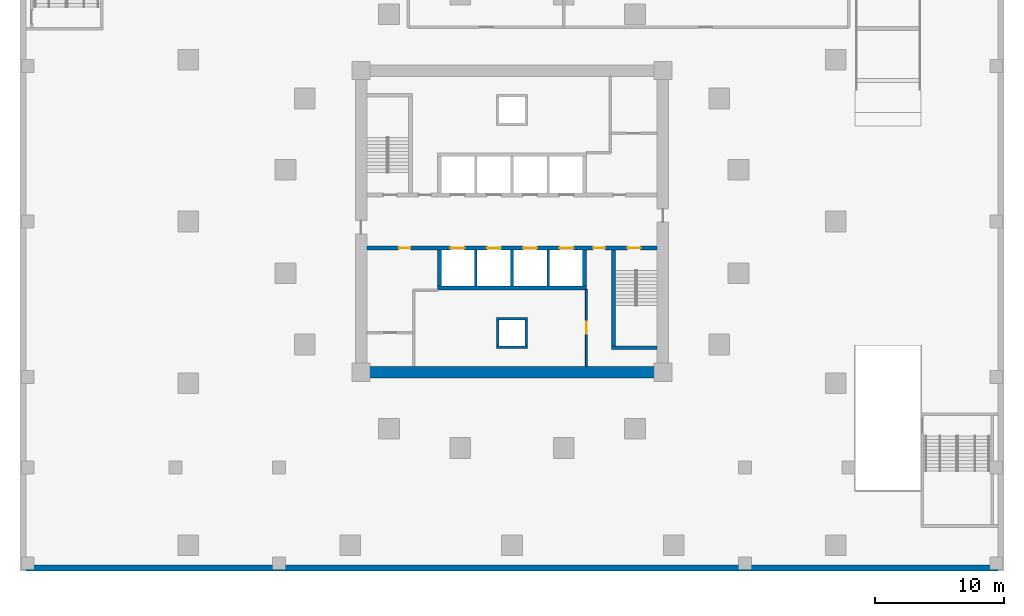
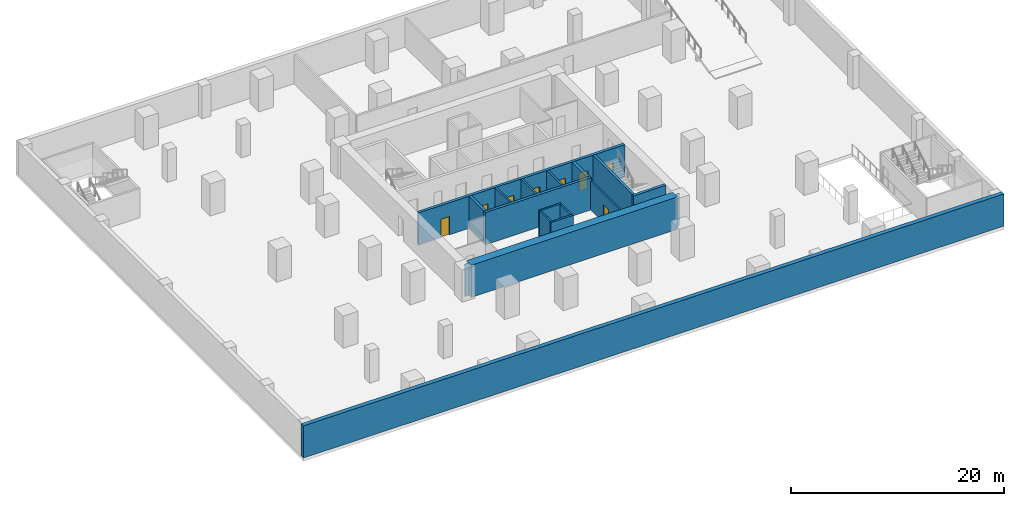
# One storey, part 3 of 9: 16 walls, 8 doors, 8 openings.
"""IFC4 building model written with IfcOpenShell, lengths in metres."""

from ifc_helpers import new_model, si_unit, direction, frame, frame_2d, origin, place, context, subcontext, project, spatial, polyline, rectangle, outline, extrude, material, layer, layer_set, type_object, element, fill, save


model = new_model("IFC4")

# Units and contexts
model_context = context("Model", 3, precision=1e-05, world=origin(), true_north=direction((0.0, 1.0)))
body_context = subcontext(model_context, "Body", "Model", "MODEL_VIEW")
ifc_project = project(units=[si_unit("LENGTHUNIT", "METRE"), si_unit("AREAUNIT", "SQUARE_METRE"), si_unit("VOLUMEUNIT", "CUBIC_METRE"), si_unit("PLANEANGLEUNIT", "RADIAN"), si_unit("MASSUNIT", "GRAM", prefix="KILO")], contexts=[model_context])

# Site, building, storey
site_placement = place(None, origin())
site = spatial("IfcSite", under=ifc_project, at=site_placement, CompositionType="ELEMENT")
building_placement = place(site_placement, origin())
building = spatial("IfcBuilding", under=site, at=building_placement, Name="Torsade Residences", CompositionType="ELEMENT")
storey_placement = place(building_placement, frame((0.0, 0.0, -3.699951171875)))
storey = spatial("IfcBuildingStorey", under=building, at=storey_placement, Name="B1", CompositionType="ELEMENT", Elevation=-3.699951171875)

# Wall
ifc_material_1 = material(Name="Concrete 50 MPa", Category="concrete")
ifc_layer_1 = layer(ifc_material_1, 0.449951171875)
ifc_layer_set_1 = layer_set([ifc_layer_1], Name="Concrete 50 MPa")
wall_type_1 = type_object("IfcWallType", Name="BASEMENT RETAINING WALL 450", PredefinedType="SHEAR", material=ifc_layer_set_1)
wall_1_placement = place(storey_placement, frame((2.0, 3.22509765625, 0.0), z_axis=(0.0, 0.0, 1.0), x_axis=(1.0, 0.0, 0.0)))
element("IfcWall", 1, at=wall_1_placement, inside=storey, type_object=wall_type_1, Name="Retaining wall S B1", PredefinedType="SHEAR", context=body_context, shape_type="SweptSolid", body=[
    extrude(rectangle(XDim=76.0, YDim=0.449951171875, at=frame_2d((38.0, 0.0))), origin(), (0.0, 0.0, 1.0), 3.699951171875),
])

# Wall, openings, doors
ifc_material_2 = material(Name="Concrete 80 MPa", Category="concrete")
ifc_layer_2 = layer(ifc_material_2, 0.300048828125)
ifc_layer_set_2 = layer_set([ifc_layer_2], Name="Concrete 80 MPa")
wall_type_2 = type_object("IfcWallType", Name="CORE INTERNAL WALL 300", PredefinedType="SHEAR", material=ifc_layer_set_2)
wall_2_placement = place(storey_placement, frame((51.199951171875, 27.949951171875, 0.0), z_axis=(0.0, 0.0, 1.0), x_axis=(-1.0, 0.0, 0.0)))
wall_2 = element("IfcWall", 2, at=wall_2_placement, inside=storey, type_object=wall_type_2, Name="Core wall LS B1", PredefinedType="SHEAR", context=body_context, shape_type="SweptSolid", body=[
    extrude(rectangle(XDim=22.39990234375, YDim=0.300048828125, at=frame_2d((11.199951171875, 0.0))), origin(), (0.0, 0.0, 1.0), 3.699951171875),
])
opening_1_placement = place(wall_2_placement, frame((19.0400390625, 0.0, 0.0)))
opening_1 = element("IfcOpeningElement", 3, at=opening_1_placement, cuts=wall_2, Name="Opening D06", PredefinedType="OPENING", context=body_context, shape_type="SweptSolid", body=[
    extrude(rectangle(XDim=0.919921875, YDim=2.10009765625, at=frame_2d((0.4599609375, 1.050048828125))), frame((0.0, 0.159912109375, 0.0), z_axis=(0.0, -1.0, 0.0), x_axis=(1.0, 0.0, 0.0)), (0.0, 0.0, 1.0), 0.320068359375),
])
opening_2_placement = place(wall_2_placement, frame((1.264892578125, 0.0, 0.0)))
opening_2 = element("IfcOpeningElement", 4, at=opening_2_placement, cuts=wall_2, Name="Opening D03", PredefinedType="OPENING", context=body_context, shape_type="SweptSolid", body=[
    extrude(rectangle(XDim=1.02001953125, YDim=2.10009765625, at=frame_2d((0.510009765625, 1.050048828125))), frame((0.0, 0.159912109375, 0.0), z_axis=(0.0, -1.0, 0.0), x_axis=(1.0, 0.0, 0.0)), (0.0, 0.0, 1.0), 0.320068359375),
])
opening_3_placement = place(wall_2_placement, frame((4.014892578125, 0.0, 0.0)))
opening_3 = element("IfcOpeningElement", 5, at=opening_3_placement, cuts=wall_2, Name="Opening D06", PredefinedType="OPENING", context=body_context, shape_type="SweptSolid", body=[
    extrude(rectangle(XDim=0.919921875, YDim=2.10009765625, at=frame_2d((0.4599609375, 1.050048828125))), frame((0.0, 0.159912109375, 0.0), z_axis=(0.0, -1.0, 0.0), x_axis=(1.0, 0.0, 0.0)), (0.0, 0.0, 1.0), 0.320068359375),
])
opening_4_placement = place(wall_2_placement, frame((6.449951171875, 0.0, 0.0)))
opening_4 = element("IfcOpeningElement", 6, at=opening_4_placement, cuts=wall_2, Name="Opening LD", PredefinedType="OPENING", context=body_context, shape_type="SweptSolid", body=[
    extrude(rectangle(XDim=1.10009765625, YDim=2.10009765625, at=frame_2d((0.550048828125, 1.050048828125))), frame((0.0, 0.159912109375, 0.0), z_axis=(0.0, -1.0, 0.0), x_axis=(1.0, 0.0, 0.0)), (0.0, 0.0, 1.0), 0.320068359375),
])
opening_5_placement = place(wall_2_placement, frame((9.25, 0.0, 0.0)))
opening_5 = element("IfcOpeningElement", 7, at=opening_5_placement, cuts=wall_2, Name="Opening LD", PredefinedType="OPENING", context=body_context, shape_type="SweptSolid", body=[
    extrude(rectangle(XDim=1.10009765625, YDim=2.10009765625, at=frame_2d((0.550048828125, 1.050048828125))), frame((0.0, 0.159912109375, 0.0), z_axis=(0.0, -1.0, 0.0), x_axis=(1.0, 0.0, 0.0)), (0.0, 0.0, 1.0), 0.320068359375),
])
opening_6_placement = place(wall_2_placement, frame((12.050048828125, 0.0, 0.0)))
opening_6 = element("IfcOpeningElement", 8, at=opening_6_placement, cuts=wall_2, Name="Opening LD", PredefinedType="OPENING", context=body_context, shape_type="SweptSolid", body=[
    extrude(rectangle(XDim=1.10009765625, YDim=2.10009765625, at=frame_2d((0.550048828125, 1.050048828125))), frame((0.0, 0.159912109375, 0.0), z_axis=(0.0, -1.0, 0.0), x_axis=(1.0, 0.0, 0.0)), (0.0, 0.0, 1.0), 0.320068359375),
])
opening_7_placement = place(wall_2_placement, frame((14.85009765625, 0.0, 0.0)))
opening_7 = element("IfcOpeningElement", 9, at=opening_7_placement, cuts=wall_2, Name="Opening LD", PredefinedType="OPENING", context=body_context, shape_type="SweptSolid", body=[
    extrude(rectangle(XDim=1.10009765625, YDim=2.10009765625, at=frame_2d((0.550048828125, 1.050048828125))), frame((0.0, 0.159912109375, 0.0), z_axis=(0.0, -1.0, 0.0), x_axis=(1.0, 0.0, 0.0)), (0.0, 0.0, 1.0), 0.320068359375),
])
ifc_material_3 = material(Name="Steel-framed fire door", Category="steel")
door_type_1 = type_object("IfcDoorType", Name="FIRE DOOR 1020", OperationType="NOTDEFINED", PredefinedType="DOOR", material=ifc_material_3)
door_1_placement = place(opening_2_placement, origin())
door_1 = element("IfcDoor", 10, at=door_1_placement, inside=storey, type_object=door_type_1, Name="Exit door to fire-isolated stair ST2 B1", OperationType="SINGLE_SWING_RIGHT", OverallHeight=2.10009765625, OverallWidth=1.02001953125, PredefinedType="DOOR", context=body_context, shape_type="SweptSolid", body=[
    extrude(rectangle(XDim=1.02001953125, YDim=2.10009765625, at=frame_2d((0.510009765625, 1.050048828125))), frame((0.0, 0.02490234375, 0.0), z_axis=(0.0, -1.0, 0.0), x_axis=(1.0, 0.0, 0.0)), (0.0, 0.0, 1.0), 0.050048828125),
])
fill(opening_2, door_1)
ifc_material_4 = material(Name="Steel-framed fire door", Category="steel")
door_type_2 = type_object("IfcDoorType", Name="FIRE DOOR 920", OperationType="NOTDEFINED", PredefinedType="DOOR", material=ifc_material_4)
door_2_placement = place(opening_1_placement, origin())
door_2 = element("IfcDoor", 11, at=door_2_placement, inside=storey, type_object=door_type_2, Name="Door Lift lobby to Cleaner store", OperationType="SINGLE_SWING_LEFT", OverallHeight=2.10009765625, OverallWidth=0.919921875, PredefinedType="DOOR", context=body_context, shape_type="SweptSolid", body=[
    extrude(rectangle(XDim=0.919921875, YDim=2.10009765625, at=frame_2d((0.4599609375, 1.050048828125))), frame((0.0, 0.02490234375, 0.0), z_axis=(0.0, -1.0, 0.0), x_axis=(1.0, 0.0, 0.0)), (0.0, 0.0, 1.0), 0.050048828125),
])
fill(opening_1, door_2)
door_3_placement = place(opening_3_placement, origin())
door_3 = element("IfcDoor", 12, at=door_3_placement, inside=storey, type_object=door_type_2, Name="Door Lift lobby to Security and data store", OperationType="SINGLE_SWING_RIGHT", OverallHeight=2.10009765625, OverallWidth=0.919921875, PredefinedType="DOOR", context=body_context, shape_type="SweptSolid", body=[
    extrude(rectangle(XDim=0.919921875, YDim=2.10009765625, at=frame_2d((0.4599609375, 1.050048828125))), frame((0.0, 0.02490234375, 0.0), z_axis=(0.0, -1.0, 0.0), x_axis=(1.0, 0.0, 0.0)), (0.0, 0.0, 1.0), 0.050048828125),
])
fill(opening_3, door_3)
ifc_material_5 = material(Name="Stainless steel lift landing door", Category="steel")
door_type_3 = type_object("IfcDoorType", Name="LIFT LANDING DOOR 1100", OperationType="SLIDING_TO_LEFT", PredefinedType="DOOR", material=ifc_material_5)
door_4_placement = place(opening_4_placement, origin())
door_4 = element("IfcDoor", 13, at=door_4_placement, inside=storey, type_object=door_type_3, Name="Lift LB1 landing door B1", OperationType="SLIDING_TO_LEFT", OverallHeight=2.10009765625, OverallWidth=1.10009765625, PredefinedType="DOOR", context=body_context, shape_type="SweptSolid", body=[
    extrude(rectangle(XDim=1.10009765625, YDim=2.10009765625, at=frame_2d((0.550048828125, 1.050048828125))), frame((0.0, 0.02490234375, 0.0), z_axis=(0.0, -1.0, 0.0), x_axis=(1.0, 0.0, 0.0)), (0.0, 0.0, 1.0), 0.050048828125),
])
fill(opening_4, door_4)
door_5_placement = place(opening_5_placement, origin())
door_5 = element("IfcDoor", 14, at=door_5_placement, inside=storey, type_object=door_type_3, Name="Lift LB2 landing door B1", OperationType="SLIDING_TO_LEFT", OverallHeight=2.10009765625, OverallWidth=1.10009765625, PredefinedType="DOOR", context=body_context, shape_type="SweptSolid", body=[
    extrude(rectangle(XDim=1.10009765625, YDim=2.10009765625, at=frame_2d((0.550048828125, 1.050048828125))), frame((0.0, 0.02490234375, 0.0), z_axis=(0.0, -1.0, 0.0), x_axis=(1.0, 0.0, 0.0)), (0.0, 0.0, 1.0), 0.050048828125),
])
fill(opening_5, door_5)
door_6_placement = place(opening_6_placement, origin())
door_6 = element("IfcDoor", 15, at=door_6_placement, inside=storey, type_object=door_type_3, Name="Lift LB3 landing door B1", OperationType="SLIDING_TO_LEFT", OverallHeight=2.10009765625, OverallWidth=1.10009765625, PredefinedType="DOOR", context=body_context, shape_type="SweptSolid", body=[
    extrude(rectangle(XDim=1.10009765625, YDim=2.10009765625, at=frame_2d((0.550048828125, 1.050048828125))), frame((0.0, 0.02490234375, 0.0), z_axis=(0.0, -1.0, 0.0), x_axis=(1.0, 0.0, 0.0)), (0.0, 0.0, 1.0), 0.050048828125),
])
fill(opening_6, door_6)
door_7_placement = place(opening_7_placement, origin())
door_7 = element("IfcDoor", 16, at=door_7_placement, inside=storey, type_object=door_type_3, Name="Lift FL2 landing door B1", OperationType="SLIDING_TO_LEFT", OverallHeight=2.10009765625, OverallWidth=1.10009765625, PredefinedType="DOOR", context=body_context, shape_type="SweptSolid", body=[
    extrude(rectangle(XDim=1.10009765625, YDim=2.10009765625, at=frame_2d((0.550048828125, 1.050048828125))), frame((0.0, 0.02490234375, 0.0), z_axis=(0.0, -1.0, 0.0), x_axis=(1.0, 0.0, 0.0)), (0.0, 0.0, 1.0), 0.050048828125),
])
fill(opening_7, door_7)

# Walls
wall_3_placement = place(storey_placement, frame((45.75, 24.85009765625, 0.0), z_axis=(0.0, 0.0, 1.0), x_axis=(-1.0, 0.0, 0.0)))
element("IfcWall", 17, at=wall_3_placement, inside=storey, type_object=wall_type_2, Name="Core wall BS B1", PredefinedType="SHEAR", context=body_context, shape_type="SweptSolid", body=[
    extrude(rectangle(XDim=11.5, YDim=0.300048828125, at=frame_2d((5.75, 0.0))), origin(), (0.0, 0.0, 1.0), 3.699951171875),
])
for number, where, z_axis, x_axis, name in (
    (18, (45.60009765625, 27.800048828125, 0.0), (0.0, 0.0, 1.0), (0.0, -1.0, 0.0), "Core wall DS0 B1"),
    (19, (34.39990234375, 27.800048828125, 0.0), (0.0, 0.0, 1.0), (0.0, -1.0, 0.0), "Core wall DS4 B1"),
):
    element("IfcWall", number, at=place(storey_placement, frame(where, z_axis=z_axis, x_axis=x_axis)), inside=storey, type_object=wall_type_2, Name=name, PredefinedType="SHEAR", context=body_context, shape_type="SweptSolid", body=[
        extrude(rectangle(XDim=2.800048828125, YDim=0.300048828125, at=frame_2d((1.39990234375, 0.0))), origin(), (0.0, 0.0, 1.0), 3.699951171875),
    ])
wall_4_placement = place(storey_placement, frame((47.85009765625, 27.800048828125, 0.0), z_axis=(0.0, 0.0, 1.0), x_axis=(0.0, -1.0, 0.0)))
element("IfcWall", 20, at=wall_4_placement, inside=storey, type_object=wall_type_2, Name="Core wall ST2W B1", PredefinedType="SHEAR", context=body_context, shape_type="SweptSolid", body=[
    extrude(rectangle(XDim=7.699951171875, YDim=0.300048828125, at=frame_2d((3.85009765625, 0.0))), origin(), (0.0, 0.0, 1.0), 3.699951171875),
])
wall_5_placement = place(storey_placement, frame((51.199951171875, 20.25, 0.0), z_axis=(0.0, 0.0, 1.0), x_axis=(-1.0, 0.0, 0.0)))
element("IfcWall", 21, at=wall_5_placement, inside=storey, type_object=wall_type_2, Name="Core wall ST2S B1", PredefinedType="SHEAR", context=body_context, shape_type="SweptSolid", body=[
    extrude(rectangle(XDim=3.5, YDim=0.300048828125, at=frame_2d((1.75, 0.0))), origin(), (0.0, 0.0, 1.0), 3.699951171875),
])
ifc_material_6 = material(Name="Concrete 80 MPa", Category="concrete")
ifc_layer_3 = layer(ifc_material_6, 0.89990234375)
ifc_layer_set_3 = layer_set([ifc_layer_3], Name="Concrete 80 MPa")
wall_type_3 = type_object("IfcWallType", Name="CORE WALL 900", PredefinedType="SHEAR", material=ifc_layer_set_3)
wall_6_placement = place(storey_placement, frame((51.199951171875, 18.35009765625, 0.0), z_axis=(0.0, 0.0, 1.0), x_axis=(-1.0, 0.0, 0.0)))
element("IfcWall", 22, at=wall_6_placement, inside=storey, type_object=wall_type_3, Name="Core wall S B1", PredefinedType="SHEAR", context=body_context, shape_type="SweptSolid", body=[
    extrude(outline(polyline([(0.0, -0.449951171875), (22.39990234375, -0.449951171875), (22.39990234375, -0.02490234375), (22.849853515625, -0.02490234375), (22.849853515625, 0.02490234375), (22.39990234375, 0.02490234375), (22.39990234375, 0.449951171875), (0.0, 0.449951171875), (0.0, 0.02490234375), (-0.449951171875, 0.02490234375), (-0.449951171875, -0.02490234375), (0.0, -0.02490234375), (0.0, -0.449951171875)])), origin(), (0.0, 0.0, 1.0), 3.699951171875),
])
ifc_material_7 = material(Name="Reinforced blockwork", Category="masonry")
ifc_layer_4 = layer(ifc_material_7, 0.199951171875)
ifc_layer_set_4 = layer_set([ifc_layer_4], Name="Reinforced blockwork")
wall_type_4 = type_object("IfcWallType", Name="LIFT SHAFT DIVIDING WALL 200", PredefinedType="SOLIDWALL", material=ifc_layer_set_4)
for number, where, z_axis, x_axis, name in (
    (23, (42.800048828125, 27.800048828125, 0.0), (0.0, 0.0, 1.0), (0.0, -1.0, 0.0), "Core wall DS1 B1"),
    (24, (40.0, 27.800048828125, 0.0), (0.0, 0.0, 1.0), (0.0, -1.0, 0.0), "Core wall DS2 B1"),
    (25, (37.199951171875, 27.800048828125, 0.0), (0.0, 0.0, 1.0), (0.0, -1.0, 0.0), "Core wall DS3 B1"),
):
    element("IfcWall", number, at=place(storey_placement, frame(where, z_axis=z_axis, x_axis=x_axis)), inside=storey, type_object=wall_type_4, Name=name, PredefinedType="SOLIDWALL", context=body_context, shape_type="SweptSolid", body=[
        extrude(rectangle(XDim=2.800048828125, YDim=0.199951171875, at=frame_2d((1.39990234375, 0.0))), origin(), (0.0, 0.0, 1.0), 3.699951171875),
    ])
ifc_material_8 = material(Name="Reinforced blockwork", Category="masonry")
ifc_layer_5 = layer(ifc_material_8, 0.199951171875)
ifc_layer_set_5 = layer_set([ifc_layer_5], Name="Reinforced blockwork")
wall_type_5 = type_object("IfcWallType", Name="RISER SHAFT WALL 200", PredefinedType="SOLIDWALL", material=ifc_layer_set_5)
for number, where, z_axis, x_axis, name in (
    (26, (38.89990234375, 22.39990234375, 0.0), (0.0, 0.0, 1.0), (0.0, -1.0, 0.0), "Core wall RS2a B1"),
    (27, (41.10009765625, 22.39990234375, 0.0), (0.0, 0.0, 1.0), (0.0, -1.0, 0.0), "Core wall RS2b B1"),
):
    element("IfcWall", number, at=place(storey_placement, frame(where, z_axis=z_axis, x_axis=x_axis)), inside=storey, type_object=wall_type_5, Name=name, PredefinedType="SOLIDWALL", context=body_context, shape_type="SweptSolid", body=[
        extrude(rectangle(XDim=2.0, YDim=0.199951171875, at=frame_2d((1.0, 0.0))), origin(), (0.0, 0.0, 1.0), 3.699951171875),
    ])
for number, where, z_axis, x_axis, name in (
    (28, (38.800048828125, 22.5, 0.0), (0.0, 0.0, 1.0), (1.0, 0.0, 0.0), "Core wall RS2c B1"),
    (29, (38.800048828125, 20.300048828125, 0.0), (0.0, 0.0, 1.0), (1.0, 0.0, 0.0), "Core wall RS2d B1"),
):
    element("IfcWall", number, at=place(storey_placement, frame(where, z_axis=z_axis, x_axis=x_axis)), inside=storey, type_object=wall_type_5, Name=name, PredefinedType="SOLIDWALL", context=body_context, shape_type="SweptSolid", body=[
        extrude(rectangle(XDim=2.39990234375, YDim=0.199951171875, at=frame_2d((1.199951171875, 0.0))), origin(), (0.0, 0.0, 1.0), 3.699951171875),
    ])

# Wall, opening, door
ifc_material_9 = material(Name="Reinforced blockwork", Category="masonry")
ifc_layer_6 = layer(ifc_material_9, 0.14990234375)
ifc_layer_set_6 = layer_set([ifc_layer_6], Name="Reinforced blockwork")
wall_type_6 = type_object("IfcWallType", Name="SERVICE ROOM WALL 150", PredefinedType="SOLIDWALL", material=ifc_layer_set_6)
wall_7_placement = place(storey_placement, frame((45.75, 18.800048828125, 0.0), z_axis=(0.0, 0.0, 1.0), x_axis=(0.0, 1.0, 0.0)))
wall_7 = element("IfcWall", 30, at=wall_7_placement, inside=storey, type_object=wall_type_6, Name="Service room wall B1", PredefinedType="SOLIDWALL", context=body_context, shape_type="SweptSolid", body=[
    extrude(rectangle(XDim=5.949951171875, YDim=0.14990234375, at=frame_2d((2.97509765625, 0.0))), origin(), (0.0, 0.0, 1.0), 3.349853515625),
])
opening_8_placement = place(wall_7_placement, frame((2.514892578125, 0.0, 0.0)))
opening_8 = element("IfcOpeningElement", 31, at=opening_8_placement, cuts=wall_7, Name="Opening D06", PredefinedType="OPENING", context=body_context, shape_type="SweptSolid", body=[
    extrude(rectangle(XDim=0.919921875, YDim=2.10009765625, at=frame_2d((0.4599609375, 1.050048828125))), frame((0.0, 0.0849609375, 0.0), z_axis=(0.0, -1.0, 0.0), x_axis=(1.0, 0.0, 0.0)), (0.0, 0.0, 1.0), 0.169921875),
])
door_8_placement = place(opening_8_placement, origin())
door_8 = element("IfcDoor", 32, at=door_8_placement, inside=storey, type_object=door_type_2, Name="Door Security and data store to Communications riser room", OperationType="SINGLE_SWING_LEFT", OverallHeight=2.10009765625, OverallWidth=0.919921875, PredefinedType="DOOR", context=body_context, shape_type="SweptSolid", body=[
    extrude(rectangle(XDim=0.919921875, YDim=2.10009765625, at=frame_2d((0.4599609375, 1.050048828125))), frame((0.0, 0.02490234375, 0.0), z_axis=(0.0, -1.0, 0.0), x_axis=(1.0, 0.0, 0.0)), (0.0, 0.0, 1.0), 0.050048828125),
])
fill(opening_8, door_8)

save(model, "model.ifc")
